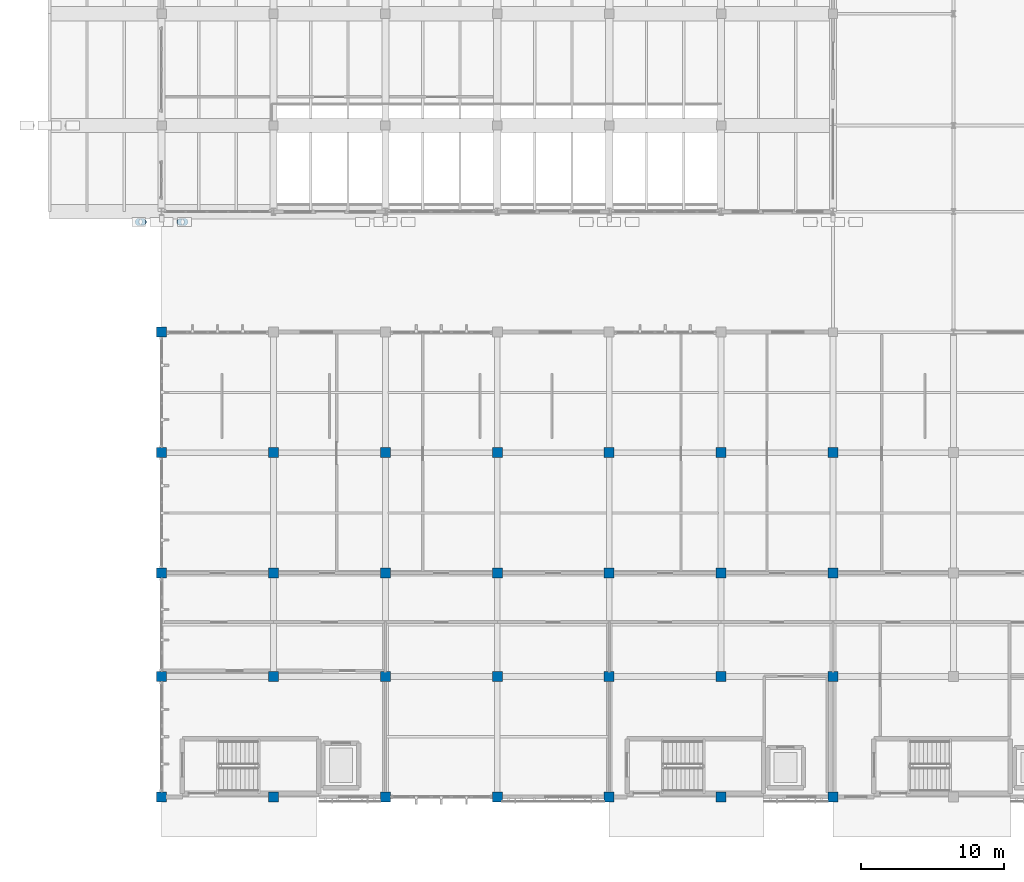
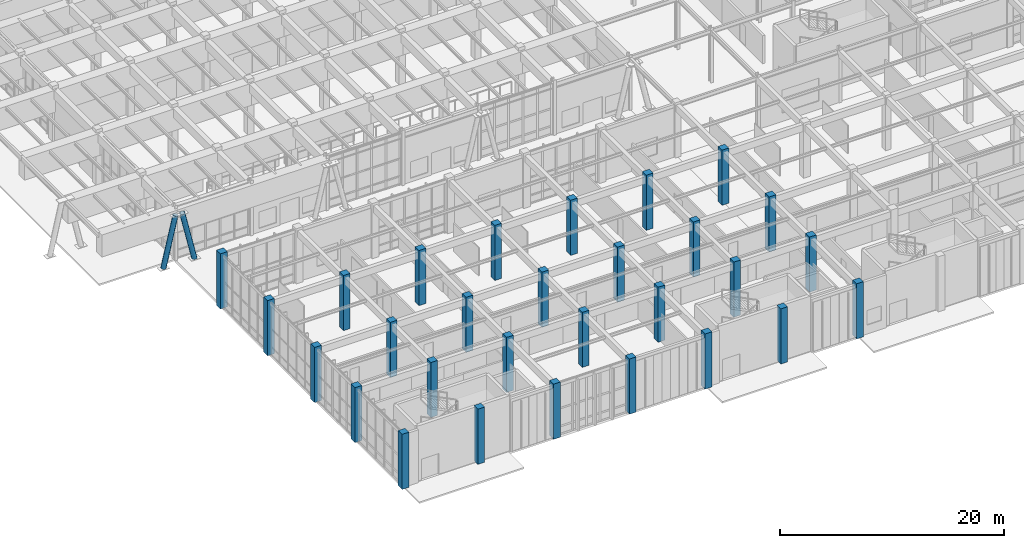
# One storey, part 1 of 110: 31 columns.
"""IFC4 building model written with IfcOpenShell, lengths in metres."""

from ifc_helpers import new_model, si_unit, direction, frame, origin, origin_2d, place, context, subcontext, project, spatial, rectangle, hollow_circle, extrude, material, material_profile, profile_set, type_object, element, save


model = new_model("IFC4")

# Units and contexts
model_context = context("Model", 3, precision=1e-05, world=origin(), true_north=direction((0.0, 1.0)))
body_context = subcontext(model_context, "Body", "Model", "MODEL_VIEW")
ifc_project = project(units=[si_unit("LENGTHUNIT", "METRE"), si_unit("AREAUNIT", "SQUARE_METRE"), si_unit("VOLUMEUNIT", "CUBIC_METRE"), si_unit("PLANEANGLEUNIT", "RADIAN"), si_unit("MASSUNIT", "GRAM", prefix="KILO")], contexts=[model_context])

# Site, building, storey
site_placement = place(None, origin())
site = spatial("IfcSite", under=ifc_project, at=site_placement, CompositionType="ELEMENT")
building_placement = place(site_placement, origin())
building = spatial("IfcBuilding", under=site, at=building_placement, Name="Tizgana Railside Sports Hall", CompositionType="ELEMENT")
storey_placement = place(building_placement, origin())
storey = spatial("IfcBuildingStorey", under=building, at=storey_placement, Name="L00", CompositionType="ELEMENT", Elevation=0.0)

# Columns
ifc_material_1 = material(Name="Concrete C40/50", Category="concrete")
ifc_material_profile_1 = material_profile(ifc_material_1, rectangle(XDim=0.699951171875, YDim=0.699951171875, at=origin_2d()), Name="RC 700x700")
ifc_profile_set_1 = profile_set([ifc_material_profile_1], Name="Concrete C40/50")
column_type_1 = type_object("IfcColumnType", Name="Concrete Column RC 700x700", PredefinedType="COLUMN", material=ifc_profile_set_1)
for number, where, z_axis, x_axis, name in (
    (1, (7.800048828125, 0.0, 0.0), (0.0, 0.0, 1.0), (1.0, 0.0, 0.0), "L00 COL-0534"),
    (2, (7.800048828125, 8.39990234375, 0.0), (0.0, 0.0, 1.0), (1.0, 0.0, 0.0), "L00 COL-0541"),
    (3, (7.800048828125, 15.60009765625, 0.0), (0.0, 0.0, 1.0), (1.0, 0.0, 0.0), "L00 COL-0548"),
    (4, (7.800048828125, 24.0, 0.0), (0.0, 0.0, 1.0), (1.0, 0.0, 0.0), "L00 COL-0555"),
    (5, (7.800048828125, 32.39990234375, 0.0), (0.0, 0.0, 1.0), (1.0, 0.0, 0.0), "L00 COL-0561"),
    (6, (15.60009765625, 0.0, 0.0), (0.0, 0.0, 1.0), (1.0, 0.0, 0.0), "L00 COL-0567"),
    (7, (15.60009765625, 8.39990234375, 0.0), (0.0, 0.0, 1.0), (1.0, 0.0, 0.0), "L00 COL-0574"),
    (8, (15.60009765625, 15.60009765625, 0.0), (0.0, 0.0, 1.0), (1.0, 0.0, 0.0), "L00 COL-0581"),
    (9, (15.60009765625, 24.0, 0.0), (0.0, 0.0, 1.0), (1.0, 0.0, 0.0), "L00 COL-0588"),
    (10, (23.39990234375, 0.0, 0.0), (0.0, 0.0, 1.0), (1.0, 0.0, 0.0), "L00 COL-0600"),
    (11, (23.39990234375, 8.39990234375, 0.0), (0.0, 0.0, 1.0), (1.0, 0.0, 0.0), "L00 COL-0607"),
    (12, (23.39990234375, 15.60009765625, 0.0), (0.0, 0.0, 1.0), (1.0, 0.0, 0.0), "L00 COL-0614"),
    (13, (23.39990234375, 24.0, 0.0), (0.0, 0.0, 1.0), (1.0, 0.0, 0.0), "L00 COL-0621"),
    (14, (31.199951171875, 0.0, 0.0), (0.0, 0.0, 1.0), (1.0, 0.0, 0.0), "L00 COL-0633"),
    (15, (31.199951171875, 8.39990234375, 0.0), (0.0, 0.0, 1.0), (1.0, 0.0, 0.0), "L00 COL-0639"),
    (16, (31.199951171875, 15.60009765625, 0.0), (0.0, 0.0, 1.0), (1.0, 0.0, 0.0), "L00 COL-0645"),
    (17, (31.199951171875, 24.0, 0.0), (0.0, 0.0, 1.0), (1.0, 0.0, 0.0), "L00 COL-0651"),
    (18, (39.0, 0.0, 0.0), (0.0, 0.0, 1.0), (1.0, 0.0, 0.0), "L00 COL-0663"),
    (19, (39.0, 8.39990234375, 0.0), (0.0, 0.0, 1.0), (1.0, 0.0, 0.0), "L00 COL-0669"),
    (20, (39.0, 15.60009765625, 0.0), (0.0, 0.0, 1.0), (1.0, 0.0, 0.0), "L00 COL-0675"),
    (21, (39.0, 24.0, 0.0), (0.0, 0.0, 1.0), (1.0, 0.0, 0.0), "L00 COL-0681"),
    (22, (46.800048828125, 0.0, 0.0), (0.0, 0.0, 1.0), (1.0, 0.0, 0.0), "L00 COL-0693"),
    (23, (46.800048828125, 8.39990234375, 0.0), (0.0, 0.0, 1.0), (1.0, 0.0, 0.0), "L00 COL-0699"),
    (24, (46.800048828125, 15.60009765625, 0.0), (0.0, 0.0, 1.0), (1.0, 0.0, 0.0), "L00 COL-0705"),
    (25, (46.800048828125, 24.0, 0.0), (0.0, 0.0, 1.0), (1.0, 0.0, 0.0), "L00 COL-0711"),
    (26, (54.60009765625, 0.0, 0.0), (0.0, 0.0, 1.0), (1.0, 0.0, 0.0), "L00 COL-0723"),
    (27, (54.60009765625, 8.39990234375, 0.0), (0.0, 0.0, 1.0), (1.0, 0.0, 0.0), "L00 COL-0729"),
    (28, (54.60009765625, 15.60009765625, 0.0), (0.0, 0.0, 1.0), (1.0, 0.0, 0.0), "L00 COL-0735"),
    (29, (54.60009765625, 24.0, 0.0), (0.0, 0.0, 1.0), (1.0, 0.0, 0.0), "L00 COL-0741"),
):
    element("IfcColumn", number, at=place(storey_placement, frame(where, z_axis=z_axis, x_axis=x_axis)), inside=storey, type_object=column_type_1, Name=name, PredefinedType="COLUMN", context=body_context, shape_type="SweptSolid", body=[
        extrude(rectangle(XDim=0.699951171875, YDim=0.699951171875, at=origin_2d()), origin(), (0.0, 0.0, 1.0), 6.0),
    ])
ifc_material_2 = material(Name="Steel S355J2", Category="steel")
ifc_material_profile_2 = material_profile(ifc_material_2, hollow_circle(Radius=0.25390625, WallThickness=0.02001953125, at=origin_2d()), Name="CHS 508x20")
ifc_profile_set_2 = profile_set([ifc_material_profile_2], Name="Steel S355J2")
column_type_2 = type_object("IfcColumnType", Name="Steel Column CHS 508x20", PredefinedType="COLUMN", material=ifc_profile_set_2)
for number, where, z_axis, x_axis, name in (
    (30, (6.205078125, 40.080078125, 0.030029296875), (0.228365704217, 0.0, 0.973575423446), (0.0, 1.0, 0.0), "L00 V-Column COL-0003"),
    (31, (9.39501953125, 40.080078125, 0.030029296875), (-0.228407815683, 0.0, 0.973565544653), (0.0, -1.0, 0.0), "L00 V-Column COL-0005"),
):
    element("IfcColumn", number, at=place(storey_placement, frame(where, z_axis=z_axis, x_axis=x_axis)), inside=storey, type_object=column_type_2, Name=name, PredefinedType="COLUMN", context=body_context, shape_type="SweptSolid", body=[
        extrude(hollow_circle(Radius=0.25390625, WallThickness=0.02001953125, at=origin_2d()), origin(), (0.0, 0.0, 1.0), 5.4951171875),
    ])

save(model, "model.ifc")
